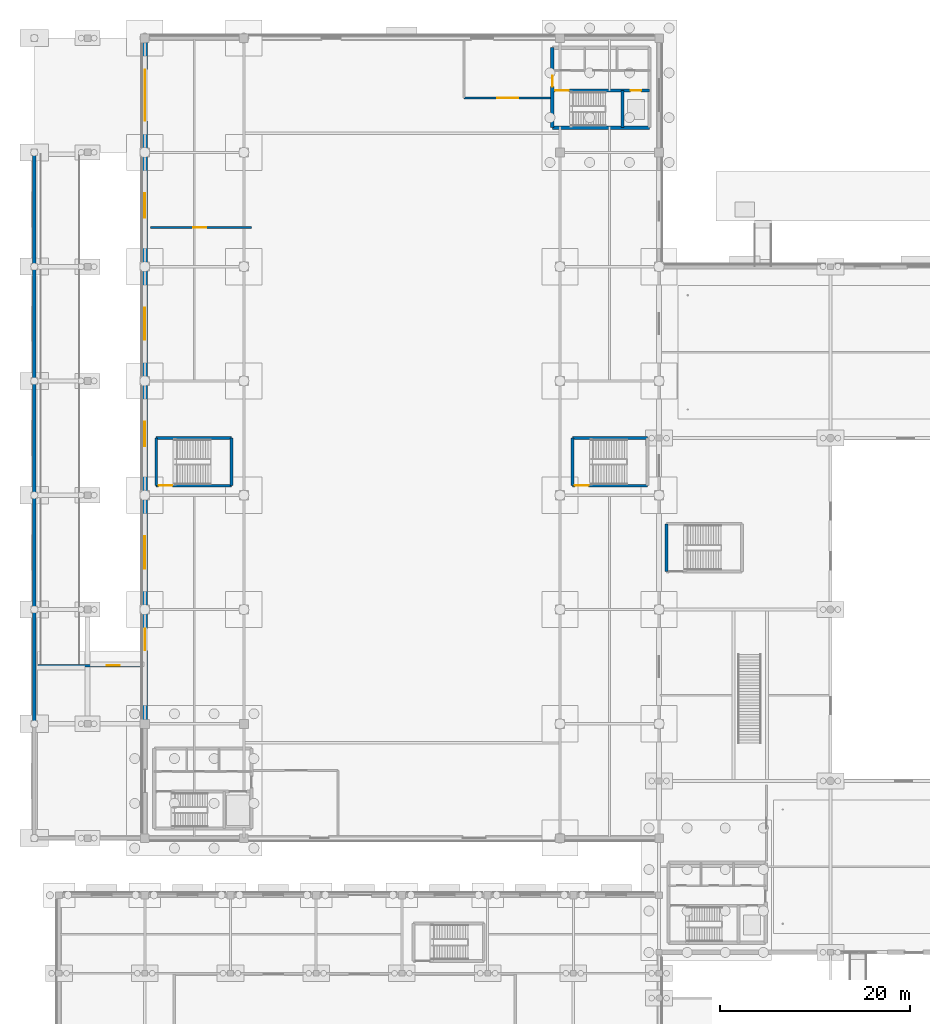
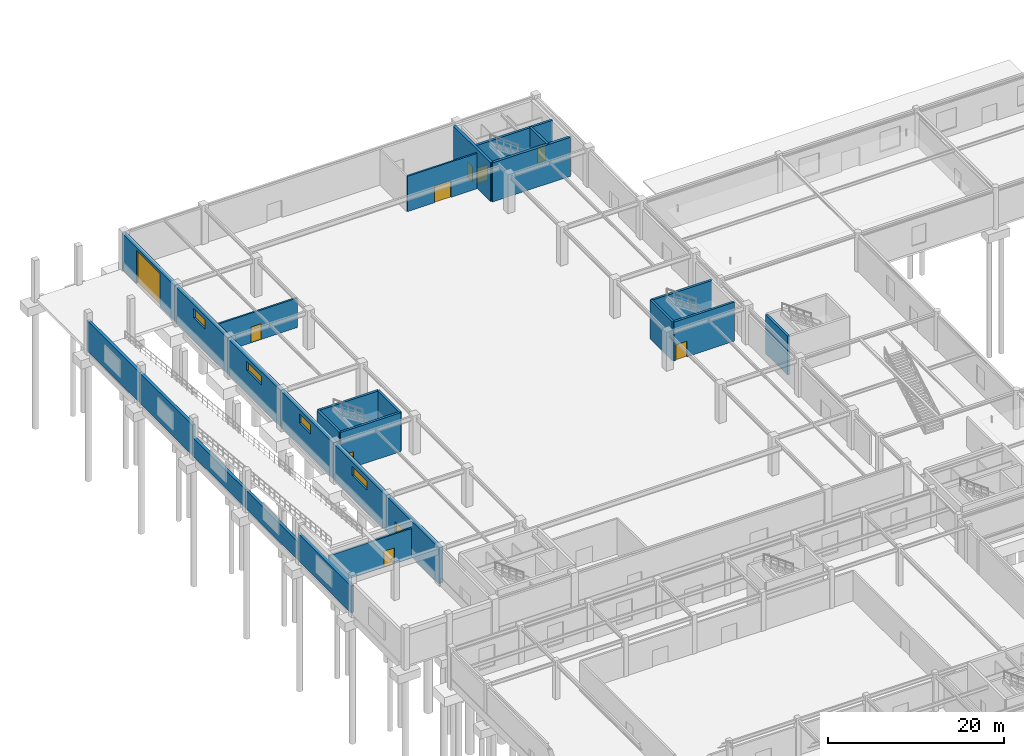
# One storey, part 27 of 53: 26 walls, 10 doors, 4 windows, 14 openings.
"""IFC4 building model written with IfcOpenShell, lengths in metres."""

from ifc_helpers import new_model, si_unit, derived_unit, direction, frame, frame_2d, origin, place, context, subcontext, project, spatial, rectangle, extrude, material, layer, layer_set, type_object, element, fill, save


model = new_model("IFC4")

# Units and contexts
model_context = context("Model", 3, precision=1e-05, world=origin(), true_north=direction((0.0, 1.0)))
body_context = subcontext(model_context, "Body", "Model", "MODEL_VIEW")
ifc_project = project(units=[si_unit("LENGTHUNIT", "METRE"), si_unit("AREAUNIT", "SQUARE_METRE"), si_unit("VOLUMEUNIT", "CUBIC_METRE"), si_unit("PLANEANGLEUNIT", "RADIAN"), si_unit("MASSUNIT", "GRAM", prefix="KILO"), derived_unit("THERMALTRANSMITTANCEUNIT", [(si_unit("POWERUNIT", "WATT"), 1), (si_unit("LENGTHUNIT", "METRE"), -2), (si_unit("THERMODYNAMICTEMPERATUREUNIT", "KELVIN"), -1)])], contexts=[model_context])

# Site, building, storey
site_placement = place(None, origin())
site = spatial("IfcSite", under=ifc_project, at=site_placement, CompositionType="ELEMENT")
building_placement = place(site_placement, origin())
building = spatial("IfcBuilding", under=site, at=building_placement, Name="Almenara Railside Exhibition Hall", CompositionType="ELEMENT")
storey_placement = place(building_placement, origin())
storey = spatial("IfcBuildingStorey", under=building, at=storey_placement, Name="L00", CompositionType="ELEMENT", Elevation=0.0)

# Wall
ifc_material_1 = material(Name="Concrete C35/45", Category="concrete")
ifc_layer_1 = layer(ifc_material_1, 0.35009765625, Name="Concrete C35/45")
ifc_layer_set_1 = layer_set([ifc_layer_1], Name="Concrete C35/45")
wall_type_1 = type_object("IfcWallType", Name="Core Coupled Shear Wall 350mm C35/45", PredefinedType="SHEAR", material=ifc_layer_set_1)
wall_1_placement = place(storey_placement, frame((54.800048828125, 122.60009765625, 0.0), z_axis=(0.0, 0.0, 1.0), x_axis=(1.0, 0.0, 0.0)))
element("IfcWall", 1, at=wall_1_placement, inside=storey, type_object=wall_type_1, Name="Interior wall 0028", PredefinedType="SHEAR", context=body_context, shape_type="SweptSolid", body=[
    extrude(rectangle(XDim=10.199951171875, YDim=0.35009765625, at=frame_2d((5.10009765625, 0.0))), origin(), (0.0, 0.0, 1.0), 5.39990234375),
])

# Wall, opening, door
wall_2_placement = place(storey_placement, frame((54.800048828125, 131.0, 0.0), z_axis=(0.0, 0.0, 1.0), x_axis=(0.0, -1.0, 0.0)))
wall_2 = element("IfcWall", 2, at=wall_2_placement, inside=storey, type_object=wall_type_1, Name="Interior wall 0030", PredefinedType="SHEAR", context=body_context, shape_type="SweptSolid", body=[
    extrude(rectangle(XDim=8.39990234375, YDim=0.35009765625, at=frame_2d((4.199951171875, 0.0))), origin(), (0.0, 0.0, 1.0), 5.39990234375),
])
opening_1_placement = place(wall_2_placement, frame((2.949951171875, 0.0, 0.0)))
opening_1 = element("IfcOpeningElement", 3, at=opening_1_placement, cuts=wall_2, Name="Opening FD-115", PredefinedType="OPENING", context=body_context, shape_type="SweptSolid", body=[
    extrude(rectangle(XDim=1.14990234375, YDim=2.14990234375, at=frame_2d((0.574951171875, 1.074951171875))), frame((0.0, 0.18505859375, 0.0), z_axis=(0.0, -1.0, 0.0), x_axis=(1.0, 0.0, 0.0)), (0.0, 0.0, 1.0), 0.3701171875),
])
ifc_material_2 = material(Name="Fire-rated iroko timber door", Category="wood")
door_type_1 = type_object("IfcDoorType", Name="Core Lobby Fire Door 1150x2150 EI60", OperationType="NOTDEFINED", PredefinedType="DOOR", material=ifc_material_2)
door_1_placement = place(opening_1_placement, frame((1.14990234375, 0.0, 0.0), z_axis=(0.0, 0.0, 1.0), x_axis=(-1.0, 0.0, 0.0)))
door_1 = element("IfcDoor", 4, at=door_1_placement, inside=storey, type_object=door_type_1, Name="Interior door FD-115-019", OperationType="SINGLE_SWING_LEFT", OverallHeight=2.14990234375, OverallWidth=1.14990234375, PredefinedType="DOOR", context=body_context, shape_type="SweptSolid", body=[
    extrude(rectangle(XDim=1.14990234375, YDim=2.14990234375, at=frame_2d((0.574951171875, 1.074951171875))), frame((0.0, 0.02490234375, 0.0), z_axis=(0.0, -1.0, 0.0), x_axis=(1.0, 0.0, 0.0)), (0.0, 0.0, 1.0), 0.050048828125),
])
fill(opening_1, door_1)

# Walls
ifc_material_3 = material(Name="Ochre-white lime-rendered masonry over Concrete C35/45", Category="masonry")
ifc_layer_2 = layer(ifc_material_3, 0.385009765625, Name="Ochre-white lime-rendered masonry over Concrete C35/45")
ifc_layer_set_2 = layer_set([ifc_layer_2], Name="Ochre-white lime-rendered masonry over Concrete C35/45")
wall_type_2 = type_object("IfcWallType", Name="Exterior Arcade Spandrel Wall 385mm C35/45", PredefinedType="SOLIDWALL", material=ifc_layer_set_2)
wall_3_placement = place(storey_placement, frame((0.39990234375, 72.0, 0.0), z_axis=(0.0, 0.0, 1.0), x_axis=(0.0, -1.0, 0.0)))
element("IfcWall", 5, at=wall_3_placement, inside=storey, type_object=wall_type_2, Name="Exterior wall 0302", PredefinedType="SOLIDWALL", context=body_context, shape_type="SweptSolid", body=[
    extrude(rectangle(XDim=12.0, YDim=0.385009765625, at=frame_2d((6.0, 0.0))), origin(), (0.0, 0.0, 1.0), 3.73779296875),
])
for number, where, z_axis, x_axis, name in (
    (6, (0.39990234375, 84.0, 0.0), (0.0, 0.0, 1.0), (0.0, -1.0, 0.0), "Exterior wall 0303"),
    (7, (0.39990234375, 96.0, 0.0), (0.0, 0.0, 1.0), (0.0, -1.0, 0.0), "Exterior wall 0304"),
):
    element("IfcWall", number, at=place(storey_placement, frame(where, z_axis=z_axis, x_axis=x_axis)), inside=storey, type_object=wall_type_2, Name=name, PredefinedType="SOLIDWALL", context=body_context, shape_type="SweptSolid", body=[
        extrude(rectangle(XDim=12.0, YDim=0.385009765625, at=frame_2d((6.0, 0.0))), origin(), (0.0, 0.0, 1.0), 2.537109375),
    ])
for number, where, z_axis, x_axis, name in (
    (8, (0.39990234375, 108.0, 0.0), (0.0, 0.0, 1.0), (0.0, -1.0, 0.0), "Exterior wall 0305"),
    (9, (0.39990234375, 120.0, 0.0), (0.0, 0.0, 1.0), (0.0, -1.0, 0.0), "Exterior wall 0306"),
):
    element("IfcWall", number, at=place(storey_placement, frame(where, z_axis=z_axis, x_axis=x_axis)), inside=storey, type_object=wall_type_2, Name=name, PredefinedType="SOLIDWALL", context=body_context, shape_type="SweptSolid", body=[
        extrude(rectangle(XDim=12.0, YDim=0.385009765625, at=frame_2d((6.0, 0.0))), origin(), (0.0, 0.0, 1.0), 4.199951171875),
    ])

# Wall, opening, door
ifc_layer_3 = layer(ifc_material_3, 0.5400390625, Name="Ochre-white lime-rendered masonry over Concrete C35/45")
ifc_layer_set_3 = layer_set([ifc_layer_3], Name="Ochre-white lime-rendered masonry over Concrete C35/45")
wall_type_3 = type_object("IfcWallType", Name="Exterior West Hall Thermal Wall 540mm C35/45", PredefinedType="SOLIDWALL", material=ifc_layer_set_3)
wall_4_placement = place(storey_placement, frame((12.0, 72.0, 0.0), z_axis=(0.0, 0.0, 1.0), x_axis=(0.0, -1.0, 0.0)))
wall_4 = element("IfcWall", 10, at=wall_4_placement, inside=storey, type_object=wall_type_3, Name="Exterior wall 0027", PredefinedType="SOLIDWALL", context=body_context, shape_type="SweptSolid", body=[
    extrude(rectangle(XDim=12.0, YDim=0.5400390625, at=frame_2d((6.0, 0.0))), origin(), (0.0, 0.0, 1.0), 4.949951171875),
])
opening_2_placement = place(wall_4_placement, frame((2.0, 0.0, 0.0)))
opening_2 = element("IfcOpeningElement", 11, at=opening_2_placement, cuts=wall_4, Name="Opening ED-02", PredefinedType="OPENING", context=body_context, shape_type="SweptSolid", body=[
    extrude(rectangle(XDim=2.300048828125, YDim=2.550048828125, at=frame_2d((1.14990234375, 1.27490234375))), frame((0.0, 0.280029296875, 0.0), z_axis=(0.0, -1.0, 0.0), x_axis=(1.0, 0.0, 0.0)), (0.0, 0.0, 1.0), 0.56005859375),
])
ifc_material_4 = material(Name="Bronze-anodised glazed entrance door")
door_type_2 = type_object("IfcDoorType", Name="Hall Gable Double Exit Door 2300x2550", OperationType="NOTDEFINED", PredefinedType="DOOR", material=ifc_material_4)
door_2_placement = place(opening_2_placement, frame((2.300048828125, 0.0, 0.0), z_axis=(0.0, 0.0, 1.0), x_axis=(-1.0, 0.0, 0.0)))
door_2 = element("IfcDoor", 12, at=door_2_placement, inside=storey, type_object=door_type_2, Name="Exterior door ED-02", OperationType="DOUBLE_DOOR_SINGLE_SWING", OverallHeight=2.550048828125, OverallWidth=2.300048828125, PredefinedType="DOOR", context=body_context, shape_type="SweptSolid", body=[
    extrude(rectangle(XDim=2.300048828125, YDim=2.550048828125, at=frame_2d((1.14990234375, 1.27490234375))), frame((0.0, 0.02490234375, 0.0), z_axis=(0.0, -1.0, 0.0), x_axis=(1.0, 0.0, 0.0)), (0.0, 0.0, 1.0), 0.050048828125),
])
fill(opening_2, door_2)

# Wall, opening, window
wall_5_placement = place(storey_placement, frame((12.0, 84.0, 0.0), z_axis=(0.0, 0.0, 1.0), x_axis=(0.0, -1.0, 0.0)))
wall_5 = element("IfcWall", 13, at=wall_5_placement, inside=storey, type_object=wall_type_3, Name="Exterior wall 0031", PredefinedType="SOLIDWALL", context=body_context, shape_type="SweptSolid", body=[
    extrude(rectangle(XDim=12.0, YDim=0.5400390625, at=frame_2d((6.0, 0.0))), origin(), (0.0, 0.0, 1.0), 4.949951171875),
])
opening_3_placement = place(wall_5_placement, frame((4.300048828125, 0.0, 3.10009765625)))
opening_3 = element("IfcOpeningElement", 14, at=opening_3_placement, cuts=wall_5, Name="Opening W-14", PredefinedType="OPENING", context=body_context, shape_type="SweptSolid", body=[
    extrude(rectangle(XDim=3.39990234375, YDim=1.25, at=frame_2d((1.699951171875, 0.625))), frame((0.0, 0.280029296875, 0.0), z_axis=(0.0, -1.0, 0.0), x_axis=(1.0, 0.0, 0.0)), (0.0, 0.0, 1.0), 0.56005859375),
])
ifc_material_5 = material(Name="Bronze-anodised aluminium and low-E double glazing", Category="aluminium")
window_type_1 = type_object("IfcWindowType", Name="Hall High-Level Clerestory Window 3400x1250", PartitioningType="TRIPLE_PANEL_HORIZONTAL", PredefinedType="WINDOW", material=ifc_material_5)
window_1_placement = place(opening_3_placement, origin())
window_1 = element("IfcWindow", 15, at=window_1_placement, inside=storey, type_object=window_type_1, Name="Window 0003", OverallHeight=1.25, OverallWidth=3.39990234375, PartitioningType="TRIPLE_PANEL_HORIZONTAL", PredefinedType="WINDOW", context=body_context, shape_type="SweptSolid", body=[
    extrude(rectangle(XDim=3.39990234375, YDim=1.25, at=frame_2d((1.699951171875, 0.625))), frame((0.0, 0.030029296875, 0.0), z_axis=(0.0, -1.0, 0.0), x_axis=(1.0, 0.0, 0.0)), (0.0, 0.0, 1.0), 0.06005859375),
])
fill(opening_3, window_1)

wall_6_placement = place(storey_placement, frame((12.0, 96.0, 0.0), z_axis=(0.0, 0.0, 1.0), x_axis=(0.0, -1.0, 0.0)))
wall_6 = element("IfcWall", 16, at=wall_6_placement, inside=storey, type_object=wall_type_3, Name="Exterior wall 0035", PredefinedType="SOLIDWALL", context=body_context, shape_type="SweptSolid", body=[
    extrude(rectangle(XDim=12.0, YDim=0.5400390625, at=frame_2d((6.0, 0.0))), origin(), (0.0, 0.0, 1.0), 4.949951171875),
])
opening_4_placement = place(wall_6_placement, frame((4.300048828125, 0.0, 3.10009765625)))
opening_4 = element("IfcOpeningElement", 17, at=opening_4_placement, cuts=wall_6, Name="Opening W-17", PredefinedType="OPENING", context=body_context, shape_type="SweptSolid", body=[
    extrude(rectangle(XDim=2.550048828125, YDim=1.300048828125, at=frame_2d((1.27490234375, 0.64990234375))), frame((0.0, 0.280029296875, 0.0), z_axis=(0.0, -1.0, 0.0), x_axis=(1.0, 0.0, 0.0)), (0.0, 0.0, 1.0), 0.56005859375),
])
window_type_2 = type_object("IfcWindowType", Name="West Gallery Ribbon Window 2550x1300", PartitioningType="DOUBLE_PANEL_HORIZONTAL", PredefinedType="WINDOW", material=ifc_material_5)
window_2_placement = place(opening_4_placement, origin())
window_2 = element("IfcWindow", 18, at=window_2_placement, inside=storey, type_object=window_type_2, Name="Window 0005", OverallHeight=1.300048828125, OverallWidth=2.550048828125, PartitioningType="DOUBLE_PANEL_HORIZONTAL", PredefinedType="WINDOW", context=body_context, shape_type="SweptSolid", body=[
    extrude(rectangle(XDim=2.550048828125, YDim=1.300048828125, at=frame_2d((1.27490234375, 0.64990234375))), frame((0.0, 0.030029296875, 0.0), z_axis=(0.0, -1.0, 0.0), x_axis=(1.0, 0.0, 0.0)), (0.0, 0.0, 1.0), 0.06005859375),
])
fill(opening_4, window_2)

wall_7_placement = place(storey_placement, frame((12.0, 108.0, 0.0), z_axis=(0.0, 0.0, 1.0), x_axis=(0.0, -1.0, 0.0)))
wall_7 = element("IfcWall", 19, at=wall_7_placement, inside=storey, type_object=wall_type_3, Name="Exterior wall 0039", PredefinedType="SOLIDWALL", context=body_context, shape_type="SweptSolid", body=[
    extrude(rectangle(XDim=12.0, YDim=0.5400390625, at=frame_2d((6.0, 0.0))), origin(), (0.0, 0.0, 1.0), 4.949951171875),
])
opening_5_placement = place(wall_7_placement, frame((4.300048828125, 0.0, 3.10009765625)))
opening_5 = element("IfcOpeningElement", 20, at=opening_5_placement, cuts=wall_7, Name="Opening W-14", PredefinedType="OPENING", context=body_context, shape_type="SweptSolid", body=[
    extrude(rectangle(XDim=3.39990234375, YDim=1.25, at=frame_2d((1.699951171875, 0.625))), frame((0.0, 0.280029296875, 0.0), z_axis=(0.0, -1.0, 0.0), x_axis=(1.0, 0.0, 0.0)), (0.0, 0.0, 1.0), 0.56005859375),
])
window_3_placement = place(opening_5_placement, origin())
window_3 = element("IfcWindow", 21, at=window_3_placement, inside=storey, type_object=window_type_1, Name="Window 0007", OverallHeight=1.25, OverallWidth=3.39990234375, PartitioningType="TRIPLE_PANEL_HORIZONTAL", PredefinedType="WINDOW", context=body_context, shape_type="SweptSolid", body=[
    extrude(rectangle(XDim=3.39990234375, YDim=1.25, at=frame_2d((1.699951171875, 0.625))), frame((0.0, 0.030029296875, 0.0), z_axis=(0.0, -1.0, 0.0), x_axis=(1.0, 0.0, 0.0)), (0.0, 0.0, 1.0), 0.06005859375),
])
fill(opening_5, window_3)

wall_8_placement = place(storey_placement, frame((12.0, 120.0, 0.0), z_axis=(0.0, 0.0, 1.0), x_axis=(0.0, -1.0, 0.0)))
wall_8 = element("IfcWall", 22, at=wall_8_placement, inside=storey, type_object=wall_type_3, Name="Exterior wall 0043", PredefinedType="SOLIDWALL", context=body_context, shape_type="SweptSolid", body=[
    extrude(rectangle(XDim=12.0, YDim=0.5400390625, at=frame_2d((6.0, 0.0))), origin(), (0.0, 0.0, 1.0), 4.949951171875),
])
opening_6_placement = place(wall_8_placement, frame((4.300048828125, 0.0, 3.10009765625)))
opening_6 = element("IfcOpeningElement", 23, at=opening_6_placement, cuts=wall_8, Name="Opening W-17", PredefinedType="OPENING", context=body_context, shape_type="SweptSolid", body=[
    extrude(rectangle(XDim=2.550048828125, YDim=1.300048828125, at=frame_2d((1.27490234375, 0.64990234375))), frame((0.0, 0.280029296875, 0.0), z_axis=(0.0, -1.0, 0.0), x_axis=(1.0, 0.0, 0.0)), (0.0, 0.0, 1.0), 0.56005859375),
])
window_4_placement = place(opening_6_placement, origin())
window_4 = element("IfcWindow", 24, at=window_4_placement, inside=storey, type_object=window_type_2, Name="Window 0009", OverallHeight=1.300048828125, OverallWidth=2.550048828125, PartitioningType="DOUBLE_PANEL_HORIZONTAL", PredefinedType="WINDOW", context=body_context, shape_type="SweptSolid", body=[
    extrude(rectangle(XDim=2.550048828125, YDim=1.300048828125, at=frame_2d((1.27490234375, 0.64990234375))), frame((0.0, 0.030029296875, 0.0), z_axis=(0.0, -1.0, 0.0), x_axis=(1.0, 0.0, 0.0)), (0.0, 0.0, 1.0), 0.06005859375),
])
fill(opening_6, window_4)

# Wall, opening, door
wall_9_placement = place(storey_placement, frame((12.0, 132.0, 0.0), z_axis=(0.0, 0.0, 1.0), x_axis=(0.0, -1.0, 0.0)))
wall_9 = element("IfcWall", 25, at=wall_9_placement, inside=storey, type_object=wall_type_3, Name="Exterior wall 0049", PredefinedType="SOLIDWALL", context=body_context, shape_type="SweptSolid", body=[
    extrude(rectangle(XDim=12.0, YDim=0.5400390625, at=frame_2d((6.0, 0.0))), origin(), (0.0, 0.0, 1.0), 4.949951171875),
])
opening_7_placement = place(wall_9_placement, frame((3.300048828125, 0.0, 0.0)))
opening_7 = element("IfcOpeningElement", 26, at=opening_7_placement, cuts=wall_9, Name="Opening VG-01", PredefinedType="OPENING", context=body_context, shape_type="SweptSolid", body=[
    extrude(rectangle(XDim=5.39990234375, YDim=4.60009765625, at=frame_2d((2.699951171875, 2.300048828125))), frame((0.0, 0.280029296875, 0.0), z_axis=(0.0, -1.0, 0.0), x_axis=(1.0, 0.0, 0.0)), (0.0, 0.0, 1.0), 0.56005859375),
])
ifc_material_6 = material(Name="Galvanised insulated acoustic steel shutter", Category="steel")
door_type_3 = type_object("IfcDoorType", Name="Heavy Freight Insulated Roller Shutter 5400x4600", OperationType="ROLLINGUP", PredefinedType="GATE", material=ifc_material_6)
door_3_placement = place(opening_7_placement, origin())
door_3 = element("IfcDoor", 27, at=door_3_placement, inside=storey, type_object=door_type_3, Name="Exterior door VG-01", OperationType="ROLLINGUP", OverallHeight=4.60009765625, OverallWidth=5.39990234375, PredefinedType="GATE", context=body_context, shape_type="SweptSolid", body=[
    extrude(rectangle(XDim=5.39990234375, YDim=4.60009765625, at=frame_2d((2.699951171875, 2.300048828125))), frame((0.0, 0.02490234375, 0.0), z_axis=(0.0, -1.0, 0.0), x_axis=(1.0, 0.0, 0.0)), (0.0, 0.0, 1.0), 0.050048828125),
])
fill(opening_7, door_3)

ifc_material_7 = material(Name="Insulated masonry over Concrete C35/45", Category="masonry")
ifc_layer_4 = layer(ifc_material_7, 0.219970703125, Name="Insulated masonry over Concrete C35/45")
ifc_layer_set_4 = layer_set([ifc_layer_4], Name="Insulated masonry over Concrete C35/45")
wall_type_4 = type_object("IfcWallType", Name="Occupancy Separating Fire Wall 220mm", PredefinedType="SOLIDWALL", material=ifc_layer_set_4)
wall_10_placement = place(storey_placement, frame((54.60009765625, 125.699951171875, 0.0), z_axis=(0.0, 0.0, 1.0), x_axis=(-1.0, 0.0, 0.0)))
wall_10 = element("IfcWall", 28, at=wall_10_placement, inside=storey, type_object=wall_type_4, Name="Interior wall 0267", PredefinedType="SOLIDWALL", context=body_context, shape_type="SweptSolid", body=[
    extrude(rectangle(XDim=9.10009765625, YDim=0.219970703125, at=frame_2d((4.550048828125, 0.0))), origin(), (0.0, 0.0, 1.0), 4.89990234375),
])
opening_8_placement = place(wall_10_placement, frame((3.39990234375, 0.0, 0.0)))
opening_8 = element("IfcOpeningElement", 29, at=opening_8_placement, cuts=wall_10, Name="Opening FD-22", PredefinedType="OPENING", context=body_context, shape_type="SweptSolid", body=[
    extrude(rectangle(XDim=2.199951171875, YDim=2.300048828125, at=frame_2d((1.10009765625, 1.14990234375))), frame((0.0, 0.119873046875, 0.0), z_axis=(0.0, -1.0, 0.0), x_axis=(1.0, 0.0, 0.0)), (0.0, 0.0, 1.0), 0.239990234375),
])
ifc_material_8 = material(Name="Steel-framed fire-rated timber door", Category="steel")
door_type_4 = type_object("IfcDoorType", Name="Hall Escape Stair Double Door 2200x2300 EI60", OperationType="NOTDEFINED", PredefinedType="DOOR", material=ifc_material_8)
door_4_placement = place(opening_8_placement, frame((2.199951171875, 0.0, 0.0), z_axis=(0.0, 0.0, 1.0), x_axis=(-1.0, 0.0, 0.0)))
door_4 = element("IfcDoor", 30, at=door_4_placement, inside=storey, type_object=door_type_4, Name="Interior door FD-22-179", OperationType="DOUBLE_DOOR_SINGLE_SWING", OverallHeight=2.300048828125, OverallWidth=2.199951171875, PredefinedType="DOOR", context=body_context, shape_type="SweptSolid", body=[
    extrude(rectangle(XDim=2.199951171875, YDim=2.300048828125, at=frame_2d((1.10009765625, 1.14990234375))), frame((0.0, 0.02490234375, 0.0), z_axis=(0.0, -1.0, 0.0), x_axis=(1.0, 0.0, 0.0)), (0.0, 0.0, 1.0), 0.050048828125),
])
fill(opening_8, door_4)

wall_11_placement = place(storey_placement, frame((12.60009765625, 112.10009765625, 0.0), z_axis=(0.0, 0.0, 1.0), x_axis=(1.0, 0.0, 0.0)))
wall_11 = element("IfcWall", 31, at=wall_11_placement, inside=storey, type_object=wall_type_4, Name="Interior wall 0361", PredefinedType="SOLIDWALL", context=body_context, shape_type="SweptSolid", body=[
    extrude(rectangle(XDim=10.599853515625, YDim=0.219970703125, at=frame_2d((5.2998046875, 0.0))), origin(), (0.0, 0.0, 1.0), 4.10009765625),
])
opening_9_placement = place(wall_11_placement, frame((4.5, 0.0, 0.0)))
opening_9 = element("IfcOpeningElement", 32, at=opening_9_placement, cuts=wall_11, Name="Opening FD-135", PredefinedType="OPENING", context=body_context, shape_type="SweptSolid", body=[
    extrude(rectangle(XDim=1.35009765625, YDim=2.199951171875, at=frame_2d((0.675048828125, 1.10009765625))), frame((0.0, 0.119873046875, 0.0), z_axis=(0.0, -1.0, 0.0), x_axis=(1.0, 0.0, 0.0)), (0.0, 0.0, 1.0), 0.239990234375),
])
ifc_material_9 = material(Name="Fire-rated heavy steel door", Category="steel")
door_type_5 = type_object("IfcDoorType", Name="Plant and Store Fire Door 1350x2200 FD120", OperationType="NOTDEFINED", PredefinedType="DOOR", material=ifc_material_9)
door_5_placement = place(opening_9_placement, origin())
door_5 = element("IfcDoor", 33, at=door_5_placement, inside=storey, type_object=door_type_5, Name="Interior door FD-135-216", OperationType="SINGLE_SWING_RIGHT", OverallHeight=2.199951171875, OverallWidth=1.35009765625, PredefinedType="DOOR", context=body_context, shape_type="SweptSolid", body=[
    extrude(rectangle(XDim=1.35009765625, YDim=2.199951171875, at=frame_2d((0.675048828125, 1.10009765625))), frame((0.0, 0.02490234375, 0.0), z_axis=(0.0, -1.0, 0.0), x_axis=(1.0, 0.0, 0.0)), (0.0, 0.0, 1.0), 0.050048828125),
])
fill(opening_9, door_5)

wall_12_placement = place(storey_placement, frame((0.800048828125, 66.10009765625, 0.0), z_axis=(0.0, 0.0, 1.0), x_axis=(1.0, 0.0, 0.0)))
wall_12 = element("IfcWall", 34, at=wall_12_placement, inside=storey, type_object=wall_type_4, Name="Interior wall 0363", PredefinedType="SOLIDWALL", context=body_context, shape_type="SweptSolid", body=[
    extrude(rectangle(XDim=10.800048828125, YDim=0.219970703125, at=frame_2d((5.39990234375, 0.0))), origin(), (0.0, 0.0, 1.0), 4.10009765625),
])
opening_10_placement = place(wall_12_placement, frame((7.199951171875, 0.0, 0.0)))
opening_10 = element("IfcOpeningElement", 35, at=opening_10_placement, cuts=wall_12, Name="Opening FD-135", PredefinedType="OPENING", context=body_context, shape_type="SweptSolid", body=[
    extrude(rectangle(XDim=1.35009765625, YDim=2.199951171875, at=frame_2d((0.675048828125, 1.10009765625))), frame((0.0, 0.119873046875, 0.0), z_axis=(0.0, -1.0, 0.0), x_axis=(1.0, 0.0, 0.0)), (0.0, 0.0, 1.0), 0.239990234375),
])
door_6_placement = place(opening_10_placement, origin())
door_6 = element("IfcDoor", 36, at=door_6_placement, inside=storey, type_object=door_type_5, Name="Interior door FD-135-218", OperationType="SINGLE_SWING_RIGHT", OverallHeight=2.199951171875, OverallWidth=1.35009765625, PredefinedType="DOOR", context=body_context, shape_type="SweptSolid", body=[
    extrude(rectangle(XDim=1.35009765625, YDim=2.199951171875, at=frame_2d((0.675048828125, 1.10009765625))), frame((0.0, 0.02490234375, 0.0), z_axis=(0.0, -1.0, 0.0), x_axis=(1.0, 0.0, 0.0)), (0.0, 0.0, 1.0), 0.050048828125),
])
fill(opening_10, door_6)

# Wall, openings, doors
ifc_layer_5 = layer(ifc_material_1, 0.300048828125, Name="Concrete C35/45")
ifc_layer_set_5 = layer_set([ifc_layer_5], Name="Concrete C35/45")
wall_type_5 = type_object("IfcWallType", Name="Stair and Lift Shaft Wall 300mm C35/45", PredefinedType="SHEAR", material=ifc_layer_set_5)
wall_13_placement = place(storey_placement, frame((54.800048828125, 126.5, 0.0), z_axis=(0.0, 0.0, 1.0), x_axis=(1.0, 0.0, 0.0)))
wall_13 = element("IfcWall", 37, at=wall_13_placement, inside=storey, type_object=wall_type_5, Name="Interior wall 0032", PredefinedType="SHEAR", context=body_context, shape_type="SweptSolid", body=[
    extrude(rectangle(XDim=10.199951171875, YDim=0.300048828125, at=frame_2d((5.10009765625, 0.0))), origin(), (0.0, 0.0, 1.0), 5.39990234375),
])
opening_11_placement = place(wall_13_placement, frame((0.280029296875, 0.0, 0.0)))
opening_11 = element("IfcOpeningElement", 38, at=opening_11_placement, cuts=wall_13, Name="Opening FD-145", PredefinedType="OPENING", context=body_context, shape_type="SweptSolid", body=[
    extrude(rectangle(XDim=1.449951171875, YDim=2.14990234375, at=frame_2d((0.72509765625, 1.074951171875))), frame((0.0, 0.159912109375, 0.0), z_axis=(0.0, -1.0, 0.0), x_axis=(1.0, 0.0, 0.0)), (0.0, 0.0, 1.0), 0.320068359375),
])
opening_12_placement = place(wall_13_placement, frame((8.22509765625, 0.0, 0.0)))
opening_12 = element("IfcOpeningElement", 39, at=opening_12_placement, cuts=wall_13, Name="Opening LD-11-C2", PredefinedType="OPENING", context=body_context, shape_type="SweptSolid", body=[
    extrude(rectangle(XDim=1.10009765625, YDim=2.14990234375, at=frame_2d((0.550048828125, 1.074951171875))), frame((0.0, 0.159912109375, 0.0), z_axis=(0.0, -1.0, 0.0), x_axis=(1.0, 0.0, 0.0)), (0.0, 0.0, 1.0), 0.320068359375),
])
door_type_6 = type_object("IfcDoorType", Name="Fire Escape Stair Door 1450x2150 EI60", OperationType="NOTDEFINED", PredefinedType="DOOR", material=ifc_material_8)
door_7_placement = place(opening_11_placement, origin())
door_7 = element("IfcDoor", 40, at=door_7_placement, inside=storey, type_object=door_type_6, Name="Interior door FD-145-020", OperationType="DOUBLE_DOOR_SINGLE_SWING", OverallHeight=2.14990234375, OverallWidth=1.449951171875, PredefinedType="DOOR", context=body_context, shape_type="SweptSolid", body=[
    extrude(rectangle(XDim=1.449951171875, YDim=2.14990234375, at=frame_2d((0.72509765625, 1.074951171875))), frame((0.0, 0.02490234375, 0.0), z_axis=(0.0, -1.0, 0.0), x_axis=(1.0, 0.0, 0.0)), (0.0, 0.0, 1.0), 0.050048828125),
])
fill(opening_11, door_7)
ifc_material_10 = material(Name="Brushed bronze-stainless steel sliding landing door", Category="steel")
door_type_7 = type_object("IfcDoorType", Name="Passenger Lift Sliding Landing Door 1100x2150", OperationType="DOUBLE_DOOR_SLIDING", PredefinedType="DOOR", material=ifc_material_10)
door_8_placement = place(opening_12_placement, origin())
door_8 = element("IfcDoor", 41, at=door_8_placement, inside=storey, type_object=door_type_7, Name="Interior door LD-11-C2-021", OperationType="DOUBLE_DOOR_SLIDING", OverallHeight=2.14990234375, OverallWidth=1.10009765625, PredefinedType="DOOR", context=body_context, shape_type="SweptSolid", body=[
    extrude(rectangle(XDim=1.10009765625, YDim=2.14990234375, at=frame_2d((0.550048828125, 1.074951171875))), frame((0.0, 0.02490234375, 0.0), z_axis=(0.0, -1.0, 0.0), x_axis=(1.0, 0.0, 0.0)), (0.0, 0.0, 1.0), 0.050048828125),
])
fill(opening_12, door_8)

# Wall
wall_14_placement = place(storey_placement, frame((62.14990234375, 122.60009765625, 0.0), z_axis=(0.0, 0.0, 1.0), x_axis=(0.0, 1.0, 0.0)))
element("IfcWall", 42, at=wall_14_placement, inside=storey, type_object=wall_type_5, Name="Interior wall 0033", PredefinedType="SHEAR", context=body_context, shape_type="SweptSolid", body=[
    extrude(rectangle(XDim=3.89990234375, YDim=0.300048828125, at=frame_2d((1.949951171875, 0.0))), origin(), (0.0, 0.0, 1.0), 5.39990234375),
])

# Wall, opening, door
wall_15_placement = place(storey_placement, frame((13.199951171875, 85.0, 0.0), z_axis=(0.0, 0.0, 1.0), x_axis=(1.0, 0.0, 0.0)))
wall_15 = element("IfcWall", 43, at=wall_15_placement, inside=storey, type_object=wall_type_5, Name="Interior wall 0276", PredefinedType="SHEAR", context=body_context, shape_type="SweptSolid", body=[
    extrude(rectangle(XDim=7.900146484375, YDim=0.300048828125, at=frame_2d((3.9501953125, 0.0))), origin(), (0.0, 0.0, 1.0), 5.39990234375),
])
opening_13_placement = place(wall_15_placement, frame((0.25, 0.0, 0.0)))
opening_13 = element("IfcOpeningElement", 44, at=opening_13_placement, cuts=wall_15, Name="Opening FD-145", PredefinedType="OPENING", context=body_context, shape_type="SweptSolid", body=[
    extrude(rectangle(XDim=1.449951171875, YDim=2.14990234375, at=frame_2d((0.72509765625, 1.074951171875))), frame((0.0, 0.159912109375, 0.0), z_axis=(0.0, -1.0, 0.0), x_axis=(1.0, 0.0, 0.0)), (0.0, 0.0, 1.0), 0.320068359375),
])
door_9_placement = place(opening_13_placement, origin())
door_9 = element("IfcDoor", 45, at=door_9_placement, inside=storey, type_object=door_type_6, Name="Interior door FD-145-184", OperationType="DOUBLE_DOOR_SINGLE_SWING", OverallHeight=2.14990234375, OverallWidth=1.449951171875, PredefinedType="DOOR", context=body_context, shape_type="SweptSolid", body=[
    extrude(rectangle(XDim=1.449951171875, YDim=2.14990234375, at=frame_2d((0.72509765625, 1.074951171875))), frame((0.0, 0.02490234375, 0.0), z_axis=(0.0, -1.0, 0.0), x_axis=(1.0, 0.0, 0.0)), (0.0, 0.0, 1.0), 0.050048828125),
])
fill(opening_13, door_9)

# Walls
wall_16_placement = place(storey_placement, frame((21.10009765625, 90.0, 0.0), z_axis=(0.0, 0.0, 1.0), x_axis=(-1.0, 0.0, 0.0)))
element("IfcWall", 46, at=wall_16_placement, inside=storey, type_object=wall_type_5, Name="Interior wall 0277", PredefinedType="SHEAR", context=body_context, shape_type="SweptSolid", body=[
    extrude(rectangle(XDim=7.900146484375, YDim=0.300048828125, at=frame_2d((3.9501953125, 0.0))), origin(), (0.0, 0.0, 1.0), 5.39990234375),
])
for number, where, z_axis, x_axis, name in (
    (47, (13.199951171875, 90.0, 0.0), (0.0, 0.0, 1.0), (0.0, -1.0, 0.0), "Interior wall 0278"),
    (48, (21.10009765625, 85.0, 0.0), (0.0, 0.0, 1.0), (0.0, 1.0, 0.0), "Interior wall 0279"),
):
    element("IfcWall", number, at=place(storey_placement, frame(where, z_axis=z_axis, x_axis=x_axis)), inside=storey, type_object=wall_type_5, Name=name, PredefinedType="SHEAR", context=body_context, shape_type="SweptSolid", body=[
        extrude(rectangle(XDim=5.0, YDim=0.300048828125, at=frame_2d((2.5, 0.0))), origin(), (0.0, 0.0, 1.0), 5.39990234375),
    ])

# Wall, opening, door
wall_17_placement = place(storey_placement, frame((56.89990234375, 85.0, 0.0), z_axis=(0.0, 0.0, 1.0), x_axis=(1.0, 0.0, 0.0)))
wall_17 = element("IfcWall", 49, at=wall_17_placement, inside=storey, type_object=wall_type_5, Name="Interior wall 0288", PredefinedType="SHEAR", context=body_context, shape_type="SweptSolid", body=[
    extrude(rectangle(XDim=7.900146484375, YDim=0.300048828125, at=frame_2d((3.9501953125, 0.0))), origin(), (0.0, 0.0, 1.0), 5.39990234375),
])
opening_14_placement = place(wall_17_placement, frame((0.25, 0.0, 0.0)))
opening_14 = element("IfcOpeningElement", 50, at=opening_14_placement, cuts=wall_17, Name="Opening FD-145", PredefinedType="OPENING", context=body_context, shape_type="SweptSolid", body=[
    extrude(rectangle(XDim=1.449951171875, YDim=2.14990234375, at=frame_2d((0.72509765625, 1.074951171875))), frame((0.0, 0.159912109375, 0.0), z_axis=(0.0, -1.0, 0.0), x_axis=(1.0, 0.0, 0.0)), (0.0, 0.0, 1.0), 0.320068359375),
])
door_10_placement = place(opening_14_placement, origin())
door_10 = element("IfcDoor", 51, at=door_10_placement, inside=storey, type_object=door_type_6, Name="Interior door FD-145-187", OperationType="DOUBLE_DOOR_SINGLE_SWING", OverallHeight=2.14990234375, OverallWidth=1.449951171875, PredefinedType="DOOR", context=body_context, shape_type="SweptSolid", body=[
    extrude(rectangle(XDim=1.449951171875, YDim=2.14990234375, at=frame_2d((0.72509765625, 1.074951171875))), frame((0.0, 0.02490234375, 0.0), z_axis=(0.0, -1.0, 0.0), x_axis=(1.0, 0.0, 0.0)), (0.0, 0.0, 1.0), 0.050048828125),
])
fill(opening_14, door_10)

# Walls
wall_18_placement = place(storey_placement, frame((64.800048828125, 90.0, 0.0), z_axis=(0.0, 0.0, 1.0), x_axis=(-1.0, 0.0, 0.0)))
element("IfcWall", 52, at=wall_18_placement, inside=storey, type_object=wall_type_5, Name="Interior wall 0289", PredefinedType="SHEAR", context=body_context, shape_type="SweptSolid", body=[
    extrude(rectangle(XDim=7.900146484375, YDim=0.300048828125, at=frame_2d((3.9501953125, 0.0))), origin(), (0.0, 0.0, 1.0), 5.39990234375),
])
for number, where, z_axis, x_axis, name in (
    (53, (56.89990234375, 90.0, 0.0), (0.0, 0.0, 1.0), (0.0, -1.0, 0.0), "Interior wall 0290"),
    (54, (66.800048828125, 81.0, 0.0), (0.0, 0.0, 1.0), (0.0, -1.0, 0.0), "Interior wall 0302"),
):
    element("IfcWall", number, at=place(storey_placement, frame(where, z_axis=z_axis, x_axis=x_axis)), inside=storey, type_object=wall_type_5, Name=name, PredefinedType="SHEAR", context=body_context, shape_type="SweptSolid", body=[
        extrude(rectangle(XDim=5.0, YDim=0.300048828125, at=frame_2d((2.5, 0.0))), origin(), (0.0, 0.0, 1.0), 5.39990234375),
    ])

save(model, "model.ifc")
